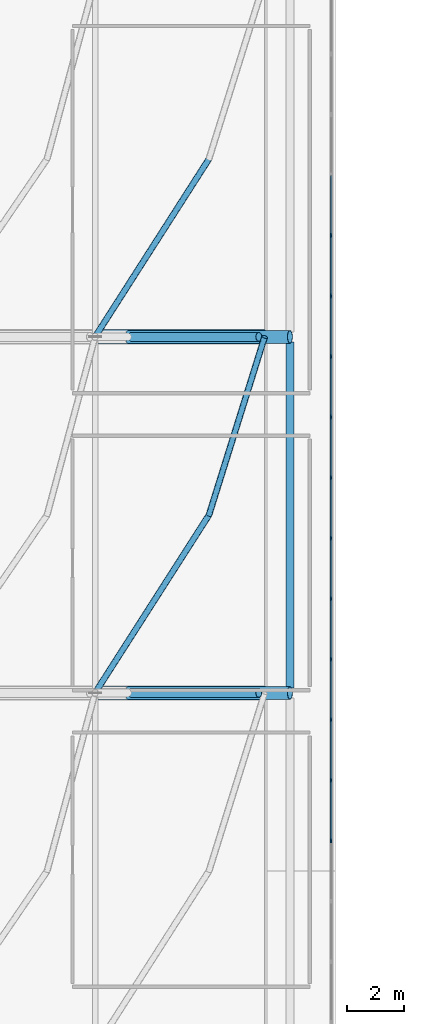
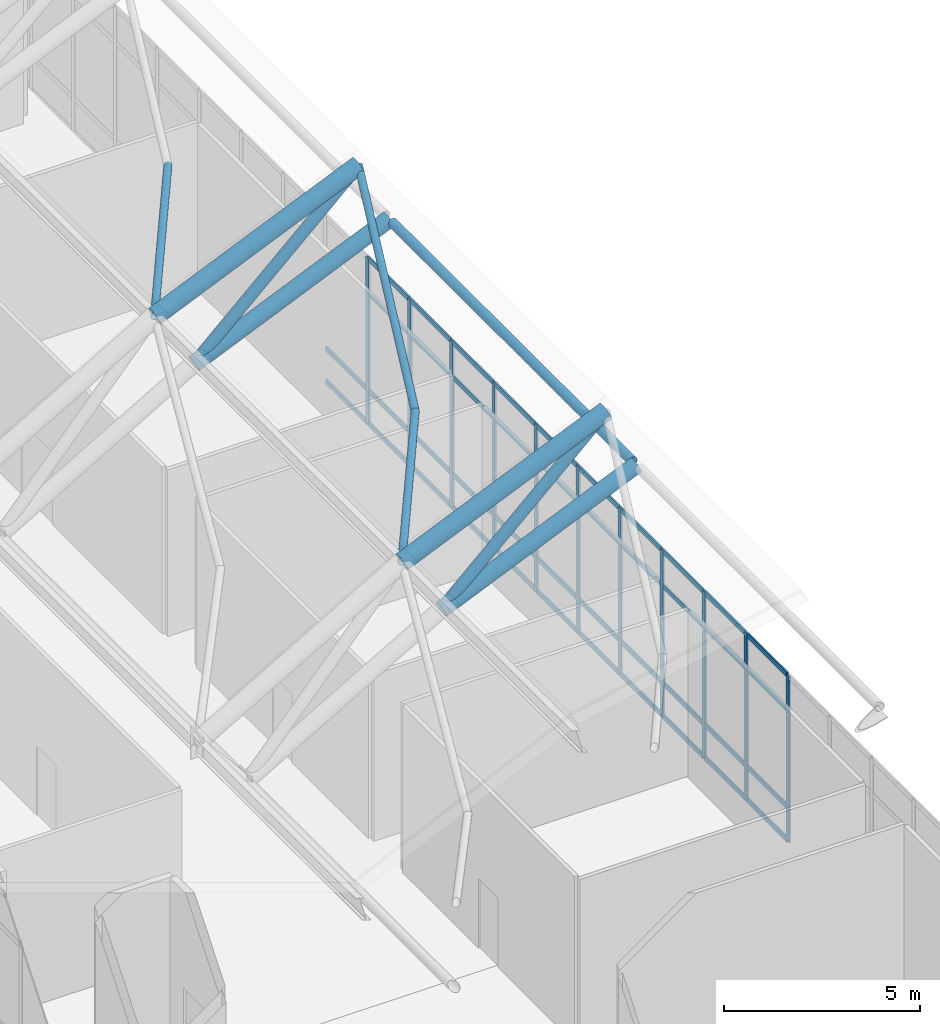
# One storey, part 16 of 42: 63 members, 1 element without a shape of its own.
"""IFC4 building model written with IfcOpenShell, lengths in metres."""

from ifc_helpers import new_model, si_unit, derived_unit, direction, frame, origin, origin_2d, place, context, subcontext, project, spatial, rectangle, hollow_circle, extrude, material, layer, layer_set, material_profile, profile_set, type_object, element, aggregate, save


model = new_model("IFC4")

# Units and contexts
model_context = context("Model", 3, precision=1e-05, world=origin(), true_north=direction((0.0, 1.0)))
body_context = subcontext(model_context, "Body", "Model", "MODEL_VIEW")
ifc_project = project(units=[si_unit("LENGTHUNIT", "METRE"), si_unit("AREAUNIT", "SQUARE_METRE"), si_unit("VOLUMEUNIT", "CUBIC_METRE"), si_unit("PLANEANGLEUNIT", "RADIAN"), si_unit("MASSUNIT", "GRAM", prefix="KILO"), derived_unit("THERMALTRANSMITTANCEUNIT", [(si_unit("MASSUNIT", "GRAM", prefix="KILO"), 1), (si_unit("TIMEUNIT", "SECOND"), -3), (si_unit("THERMODYNAMICTEMPERATUREUNIT", "KELVIN"), -1)])], contexts=[model_context])

# Site, building, storey
site_placement = place(None, origin())
site = spatial("IfcSite", under=ifc_project, at=site_placement, CompositionType="ELEMENT")
building_placement = place(site_placement, origin())
building = spatial("IfcBuilding", under=site, at=building_placement, Name="Valcora Ridge Arena", CompositionType="ELEMENT")
storey_placement = place(building_placement, frame((0.0, 0.0, 26.39990234375)))
storey = spatial("IfcBuildingStorey", under=building, at=storey_placement, Name="L05", CompositionType="ELEMENT", Elevation=26.39990234375)

# Curtain wall, members
ifc_material_1 = material(Name="Anodised dark bronze architectural aluminium 6063-T6", Category="aluminium")
ifc_layer = layer(ifc_material_1, 0.14990234375, Name="Anodised dark bronze architectural aluminium 6063-T6")
ifc_layer_set = layer_set([ifc_layer], Name="Anodised dark bronze architectural aluminium 6063-T6")
curtain_wall_type = type_object("IfcCurtainWallType", Name="TY-CURTAINWALL-CW-V1-SKY-878X52", PredefinedType="NOTDEFINED", material=ifc_layer_set)
curtain_wall_placement = place(storey_placement, origin())
curtain_wall = element("IfcCurtainWall", 1, at=curtain_wall_placement, inside=storey, type_object=curtain_wall_type, Name="CW-V1-SKY-878X52 CW-0171", PredefinedType="NOTDEFINED")
ifc_material_profile_1 = material_profile(ifc_material_1, rectangle(XDim=0.050048828125, YDim=0.14990234375, at=origin_2d()), Name="ALU MULLION 50x150")
ifc_profile_set_1 = profile_set([ifc_material_profile_1], Name="Anodised dark bronze architectural aluminium 6063-T6")
member_type_1 = type_object("IfcMemberType", Name="TY-MEM-CWM-50x150", PredefinedType="MULLION", material=ifc_profile_set_1)
member_1_placement = place(storey_placement, frame((38.35009765625, 65.170654296875, 0.0), z_axis=(0.0, 0.0, 1.0), x_axis=(-1.0, 0.0, 0.0)))
member_1 = element("IfcMember", 2, at=member_1_placement, type_object=member_type_1, Name="CW-0171/CWM-50x150/M21", PredefinedType="MULLION", context=body_context, shape_type="SweptSolid", body=[
    extrude(rectangle(XDim=0.050048828125, YDim=0.14990234375, at=origin_2d()), origin(), (0.0, 0.0, 1.0), 5.18017578125),
])
member_2_placement = place(storey_placement, frame((38.35009765625, 67.312255859375, 0.0), z_axis=(0.0, 0.0, 1.0), x_axis=(-1.0, 0.0, 0.0)))
member_2 = element("IfcMember", 3, at=member_2_placement, type_object=member_type_1, Name="CW-0171/CWM-50x150/M22", PredefinedType="MULLION", context=body_context, shape_type="SweptSolid", body=[
    extrude(rectangle(XDim=0.050048828125, YDim=0.14990234375, at=origin_2d()), origin(), (0.0, 0.0, 1.0), 5.18017578125),
])
member_3_placement = place(storey_placement, frame((38.35009765625, 69.45361328125, 0.0), z_axis=(0.0, 0.0, 1.0), x_axis=(-1.0, 0.0, 0.0)))
member_3 = element("IfcMember", 4, at=member_3_placement, type_object=member_type_1, Name="CW-0171/CWM-50x150/M23", PredefinedType="MULLION", context=body_context, shape_type="SweptSolid", body=[
    extrude(rectangle(XDim=0.050048828125, YDim=0.14990234375, at=origin_2d()), origin(), (0.0, 0.0, 1.0), 5.18017578125),
])
member_4_placement = place(storey_placement, frame((38.35009765625, 71.59521484375, 0.0), z_axis=(0.0, 0.0, 1.0), x_axis=(-1.0, 0.0, 0.0)))
member_4 = element("IfcMember", 5, at=member_4_placement, type_object=member_type_1, Name="CW-0171/CWM-50x150/M24", PredefinedType="MULLION", context=body_context, shape_type="SweptSolid", body=[
    extrude(rectangle(XDim=0.050048828125, YDim=0.14990234375, at=origin_2d()), origin(), (0.0, 0.0, 1.0), 5.18017578125),
])
member_5_placement = place(storey_placement, frame((38.35009765625, 73.736572265625, 0.0), z_axis=(0.0, 0.0, 1.0), x_axis=(-1.0, 0.0, 0.0)))
member_5 = element("IfcMember", 6, at=member_5_placement, type_object=member_type_1, Name="CW-0171/CWM-50x150/M25", PredefinedType="MULLION", context=body_context, shape_type="SweptSolid", body=[
    extrude(rectangle(XDim=0.050048828125, YDim=0.14990234375, at=origin_2d()), origin(), (0.0, 0.0, 1.0), 5.18017578125),
])
member_6_placement = place(storey_placement, frame((38.35009765625, 75.8779296875, 0.0), z_axis=(0.0, 0.0, 1.0), x_axis=(-1.0, 0.0, 0.0)))
member_6 = element("IfcMember", 7, at=member_6_placement, type_object=member_type_1, Name="CW-0171/CWM-50x150/M26", PredefinedType="MULLION", context=body_context, shape_type="SweptSolid", body=[
    extrude(rectangle(XDim=0.050048828125, YDim=0.14990234375, at=origin_2d()), origin(), (0.0, 0.0, 1.0), 5.18017578125),
])
member_7_placement = place(storey_placement, frame((38.35009765625, 78.01953125, 0.0), z_axis=(0.0, 0.0, 1.0), x_axis=(-1.0, 0.0, 0.0)))
member_7 = element("IfcMember", 8, at=member_7_placement, type_object=member_type_1, Name="CW-0171/CWM-50x150/M27", PredefinedType="MULLION", context=body_context, shape_type="SweptSolid", body=[
    extrude(rectangle(XDim=0.050048828125, YDim=0.14990234375, at=origin_2d()), origin(), (0.0, 0.0, 1.0), 5.18017578125),
])
member_8_placement = place(storey_placement, frame((38.35009765625, 80.160888671875, 0.0), z_axis=(0.0, 0.0, 1.0), x_axis=(-1.0, 0.0, 0.0)))
member_8 = element("IfcMember", 9, at=member_8_placement, type_object=member_type_1, Name="CW-0171/CWM-50x150/M28", PredefinedType="MULLION", context=body_context, shape_type="SweptSolid", body=[
    extrude(rectangle(XDim=0.050048828125, YDim=0.14990234375, at=origin_2d()), origin(), (0.0, 0.0, 1.0), 5.18017578125),
])
member_9_placement = place(storey_placement, frame((38.35009765625, 82.302490234375, 0.0), z_axis=(0.0, 0.0, 1.0), x_axis=(-1.0, 0.0, 0.0)))
member_9 = element("IfcMember", 10, at=member_9_placement, type_object=member_type_1, Name="CW-0171/CWM-50x150/M29", PredefinedType="MULLION", context=body_context, shape_type="SweptSolid", body=[
    extrude(rectangle(XDim=0.050048828125, YDim=0.14990234375, at=origin_2d()), origin(), (0.0, 0.0, 1.0), 5.18017578125),
])
member_10_placement = place(storey_placement, frame((38.35009765625, 84.44384765625, 0.0), z_axis=(0.0, 0.0, 1.0), x_axis=(-1.0, 0.0, 0.0)))
member_10 = element("IfcMember", 11, at=member_10_placement, type_object=member_type_1, Name="CW-0171/CWM-50x150/M30", PredefinedType="MULLION", context=body_context, shape_type="SweptSolid", body=[
    extrude(rectangle(XDim=0.050048828125, YDim=0.14990234375, at=origin_2d()), origin(), (0.0, 0.0, 1.0), 5.18017578125),
])
member_11_placement = place(storey_placement, frame((38.35009765625, 86.58544921875, 0.0), z_axis=(0.0, 0.0, 1.0), x_axis=(-1.0, 0.0, 0.0)))
member_11 = element("IfcMember", 12, at=member_11_placement, type_object=member_type_1, Name="CW-0171/CWM-50x150/M31", PredefinedType="MULLION", context=body_context, shape_type="SweptSolid", body=[
    extrude(rectangle(XDim=0.050048828125, YDim=0.14990234375, at=origin_2d()), origin(), (0.0, 0.0, 1.0), 5.18017578125),
])
ifc_material_profile_2 = material_profile(ifc_material_1, rectangle(XDim=0.050048828125, YDim=0.14990234375, at=origin_2d()), Name="ALU TRANSOM 50x150")
ifc_profile_set_2 = profile_set([ifc_material_profile_2], Name="Anodised dark bronze architectural aluminium 6063-T6")
member_type_2 = type_object("IfcMemberType", Name="TY-MEM-CWT-50x150", PredefinedType="USERDEFINED", material=ifc_profile_set_2)
member_12_placement = place(storey_placement, frame((38.35009765625, 65.196044921875, 0.025146484375), z_axis=(0.0, 1.0, 0.0), x_axis=(-1.0, 0.0, 0.0)))
member_12 = element("IfcMember", 13, at=member_12_placement, type_object=member_type_2, Name="CW-0171/CWT-50x150/T21-00", ObjectType="TRANSOM", PredefinedType="USERDEFINED", context=body_context, shape_type="SweptSolid", body=[
    extrude(rectangle(XDim=0.050048828125, YDim=0.14990234375, at=origin_2d()), origin(), (0.0, 0.0, 1.0), 2.091064453125),
])
member_13_placement = place(storey_placement, frame((38.35009765625, 65.196044921875, 1.050048828125), z_axis=(0.0, 1.0, 0.0), x_axis=(-1.0, 0.0, 0.0)))
member_13 = element("IfcMember", 14, at=member_13_placement, type_object=member_type_2, Name="CW-0171/CWT-50x150/T21-01", ObjectType="TRANSOM", PredefinedType="USERDEFINED", context=body_context, shape_type="SweptSolid", body=[
    extrude(rectangle(XDim=0.050048828125, YDim=0.14990234375, at=origin_2d()), origin(), (0.0, 0.0, 1.0), 2.091064453125),
])
member_14_placement = place(storey_placement, frame((38.35009765625, 65.196044921875, 4.080078125), z_axis=(0.0, 1.0, 0.0), x_axis=(-1.0, 0.0, 0.0)))
member_14 = element("IfcMember", 15, at=member_14_placement, type_object=member_type_2, Name="CW-0171/CWT-50x150/T21-02", ObjectType="TRANSOM", PredefinedType="USERDEFINED", context=body_context, shape_type="SweptSolid", body=[
    extrude(rectangle(XDim=0.050048828125, YDim=0.14990234375, at=origin_2d()), origin(), (0.0, 0.0, 1.0), 2.091064453125),
])
member_15_placement = place(storey_placement, frame((38.35009765625, 65.196044921875, 5.155029296875), z_axis=(0.0, 1.0, 0.0), x_axis=(-1.0, 0.0, 0.0)))
member_15 = element("IfcMember", 16, at=member_15_placement, type_object=member_type_2, Name="CW-0171/CWT-50x150/T21-03", ObjectType="TRANSOM", PredefinedType="USERDEFINED", context=body_context, shape_type="SweptSolid", body=[
    extrude(rectangle(XDim=0.050048828125, YDim=0.14990234375, at=origin_2d()), origin(), (0.0, 0.0, 1.0), 2.091064453125),
])
member_16_placement = place(storey_placement, frame((38.35009765625, 67.3369140625, 0.025146484375), z_axis=(0.0, 1.0, 0.0), x_axis=(-1.0, 0.0, 0.0)))
member_16 = element("IfcMember", 17, at=member_16_placement, type_object=member_type_2, Name="CW-0171/CWT-50x150/T22-00", ObjectType="TRANSOM", PredefinedType="USERDEFINED", context=body_context, shape_type="SweptSolid", body=[
    extrude(rectangle(XDim=0.050048828125, YDim=0.14990234375, at=origin_2d()), origin(), (0.0, 0.0, 1.0), 2.092041015625),
])
member_17_placement = place(storey_placement, frame((38.35009765625, 67.3369140625, 1.050048828125), z_axis=(0.0, 1.0, 0.0), x_axis=(-1.0, 0.0, 0.0)))
member_17 = element("IfcMember", 18, at=member_17_placement, type_object=member_type_2, Name="CW-0171/CWT-50x150/T22-01", ObjectType="TRANSOM", PredefinedType="USERDEFINED", context=body_context, shape_type="SweptSolid", body=[
    extrude(rectangle(XDim=0.050048828125, YDim=0.14990234375, at=origin_2d()), origin(), (0.0, 0.0, 1.0), 2.092041015625),
])
member_18_placement = place(storey_placement, frame((38.35009765625, 67.3369140625, 4.080078125), z_axis=(0.0, 1.0, 0.0), x_axis=(-1.0, 0.0, 0.0)))
member_18 = element("IfcMember", 19, at=member_18_placement, type_object=member_type_2, Name="CW-0171/CWT-50x150/T22-02", ObjectType="TRANSOM", PredefinedType="USERDEFINED", context=body_context, shape_type="SweptSolid", body=[
    extrude(rectangle(XDim=0.050048828125, YDim=0.14990234375, at=origin_2d()), origin(), (0.0, 0.0, 1.0), 2.092041015625),
])
member_19_placement = place(storey_placement, frame((38.35009765625, 67.3369140625, 5.155029296875), z_axis=(0.0, 1.0, 0.0), x_axis=(-1.0, 0.0, 0.0)))
member_19 = element("IfcMember", 20, at=member_19_placement, type_object=member_type_2, Name="CW-0171/CWT-50x150/T22-03", ObjectType="TRANSOM", PredefinedType="USERDEFINED", context=body_context, shape_type="SweptSolid", body=[
    extrude(rectangle(XDim=0.050048828125, YDim=0.14990234375, at=origin_2d()), origin(), (0.0, 0.0, 1.0), 2.092041015625),
])
member_20_placement = place(storey_placement, frame((38.35009765625, 69.47900390625, 0.025146484375), z_axis=(0.0, 1.0, 0.0), x_axis=(-1.0, 0.0, 0.0)))
member_20 = element("IfcMember", 21, at=member_20_placement, type_object=member_type_2, Name="CW-0171/CWT-50x150/T23-00", ObjectType="TRANSOM", PredefinedType="USERDEFINED", context=body_context, shape_type="SweptSolid", body=[
    extrude(rectangle(XDim=0.050048828125, YDim=0.14990234375, at=origin_2d()), origin(), (0.0, 0.0, 1.0), 2.091064453125),
])
member_21_placement = place(storey_placement, frame((38.35009765625, 69.47900390625, 1.050048828125), z_axis=(0.0, 1.0, 0.0), x_axis=(-1.0, 0.0, 0.0)))
member_21 = element("IfcMember", 22, at=member_21_placement, type_object=member_type_2, Name="CW-0171/CWT-50x150/T23-01", ObjectType="TRANSOM", PredefinedType="USERDEFINED", context=body_context, shape_type="SweptSolid", body=[
    extrude(rectangle(XDim=0.050048828125, YDim=0.14990234375, at=origin_2d()), origin(), (0.0, 0.0, 1.0), 2.091064453125),
])
member_22_placement = place(storey_placement, frame((38.35009765625, 69.47900390625, 4.080078125), z_axis=(0.0, 1.0, 0.0), x_axis=(-1.0, 0.0, 0.0)))
member_22 = element("IfcMember", 23, at=member_22_placement, type_object=member_type_2, Name="CW-0171/CWT-50x150/T23-02", ObjectType="TRANSOM", PredefinedType="USERDEFINED", context=body_context, shape_type="SweptSolid", body=[
    extrude(rectangle(XDim=0.050048828125, YDim=0.14990234375, at=origin_2d()), origin(), (0.0, 0.0, 1.0), 2.091064453125),
])
member_23_placement = place(storey_placement, frame((38.35009765625, 69.47900390625, 5.155029296875), z_axis=(0.0, 1.0, 0.0), x_axis=(-1.0, 0.0, 0.0)))
member_23 = element("IfcMember", 24, at=member_23_placement, type_object=member_type_2, Name="CW-0171/CWT-50x150/T23-03", ObjectType="TRANSOM", PredefinedType="USERDEFINED", context=body_context, shape_type="SweptSolid", body=[
    extrude(rectangle(XDim=0.050048828125, YDim=0.14990234375, at=origin_2d()), origin(), (0.0, 0.0, 1.0), 2.091064453125),
])
member_24_placement = place(storey_placement, frame((38.35009765625, 71.6201171875, 0.025146484375), z_axis=(0.0, 1.0, 0.0), x_axis=(-1.0, 0.0, 0.0)))
member_24 = element("IfcMember", 25, at=member_24_placement, type_object=member_type_2, Name="CW-0171/CWT-50x150/T24-00", ObjectType="TRANSOM", PredefinedType="USERDEFINED", context=body_context, shape_type="SweptSolid", body=[
    extrude(rectangle(XDim=0.050048828125, YDim=0.14990234375, at=origin_2d()), origin(), (0.0, 0.0, 1.0), 2.091796875),
])
member_25_placement = place(storey_placement, frame((38.35009765625, 71.6201171875, 1.050048828125), z_axis=(0.0, 1.0, 0.0), x_axis=(-1.0, 0.0, 0.0)))
member_25 = element("IfcMember", 26, at=member_25_placement, type_object=member_type_2, Name="CW-0171/CWT-50x150/T24-01", ObjectType="TRANSOM", PredefinedType="USERDEFINED", context=body_context, shape_type="SweptSolid", body=[
    extrude(rectangle(XDim=0.050048828125, YDim=0.14990234375, at=origin_2d()), origin(), (0.0, 0.0, 1.0), 2.091796875),
])
member_26_placement = place(storey_placement, frame((38.35009765625, 71.6201171875, 4.080078125), z_axis=(0.0, 1.0, 0.0), x_axis=(-1.0, 0.0, 0.0)))
member_26 = element("IfcMember", 27, at=member_26_placement, type_object=member_type_2, Name="CW-0171/CWT-50x150/T24-02", ObjectType="TRANSOM", PredefinedType="USERDEFINED", context=body_context, shape_type="SweptSolid", body=[
    extrude(rectangle(XDim=0.050048828125, YDim=0.14990234375, at=origin_2d()), origin(), (0.0, 0.0, 1.0), 2.091796875),
])
member_27_placement = place(storey_placement, frame((38.35009765625, 71.6201171875, 5.155029296875), z_axis=(0.0, 1.0, 0.0), x_axis=(-1.0, 0.0, 0.0)))
member_27 = element("IfcMember", 28, at=member_27_placement, type_object=member_type_2, Name="CW-0171/CWT-50x150/T24-03", ObjectType="TRANSOM", PredefinedType="USERDEFINED", context=body_context, shape_type="SweptSolid", body=[
    extrude(rectangle(XDim=0.050048828125, YDim=0.14990234375, at=origin_2d()), origin(), (0.0, 0.0, 1.0), 2.091796875),
])
member_28_placement = place(storey_placement, frame((38.35009765625, 73.761962890625, 0.025146484375), z_axis=(0.0, 1.0, 0.0), x_axis=(-1.0, 0.0, 0.0)))
member_28 = element("IfcMember", 29, at=member_28_placement, type_object=member_type_2, Name="CW-0171/CWT-50x150/T25-00", ObjectType="TRANSOM", PredefinedType="USERDEFINED", context=body_context, shape_type="SweptSolid", body=[
    extrude(rectangle(XDim=0.050048828125, YDim=0.14990234375, at=origin_2d()), origin(), (0.0, 0.0, 1.0), 2.091064453125),
])
member_29_placement = place(storey_placement, frame((38.35009765625, 73.761962890625, 1.050048828125), z_axis=(0.0, 1.0, 0.0), x_axis=(-1.0, 0.0, 0.0)))
member_29 = element("IfcMember", 30, at=member_29_placement, type_object=member_type_2, Name="CW-0171/CWT-50x150/T25-01", ObjectType="TRANSOM", PredefinedType="USERDEFINED", context=body_context, shape_type="SweptSolid", body=[
    extrude(rectangle(XDim=0.050048828125, YDim=0.14990234375, at=origin_2d()), origin(), (0.0, 0.0, 1.0), 2.091064453125),
])
member_30_placement = place(storey_placement, frame((38.35009765625, 73.761962890625, 4.080078125), z_axis=(0.0, 1.0, 0.0), x_axis=(-1.0, 0.0, 0.0)))
member_30 = element("IfcMember", 31, at=member_30_placement, type_object=member_type_2, Name="CW-0171/CWT-50x150/T25-02", ObjectType="TRANSOM", PredefinedType="USERDEFINED", context=body_context, shape_type="SweptSolid", body=[
    extrude(rectangle(XDim=0.050048828125, YDim=0.14990234375, at=origin_2d()), origin(), (0.0, 0.0, 1.0), 2.091064453125),
])
member_31_placement = place(storey_placement, frame((38.35009765625, 73.761962890625, 5.155029296875), z_axis=(0.0, 1.0, 0.0), x_axis=(-1.0, 0.0, 0.0)))
member_31 = element("IfcMember", 32, at=member_31_placement, type_object=member_type_2, Name="CW-0171/CWT-50x150/T25-03", ObjectType="TRANSOM", PredefinedType="USERDEFINED", context=body_context, shape_type="SweptSolid", body=[
    extrude(rectangle(XDim=0.050048828125, YDim=0.14990234375, at=origin_2d()), origin(), (0.0, 0.0, 1.0), 2.091064453125),
])
member_32_placement = place(storey_placement, frame((38.35009765625, 75.903076171875, 0.025146484375), z_axis=(0.0, 1.0, 0.0), x_axis=(-1.0, 0.0, 0.0)))
member_32 = element("IfcMember", 33, at=member_32_placement, type_object=member_type_2, Name="CW-0171/CWT-50x150/T26-00", ObjectType="TRANSOM", PredefinedType="USERDEFINED", context=body_context, shape_type="SweptSolid", body=[
    extrude(rectangle(XDim=0.050048828125, YDim=0.14990234375, at=origin_2d()), origin(), (0.0, 0.0, 1.0), 2.092041015625),
])
member_33_placement = place(storey_placement, frame((38.35009765625, 75.903076171875, 1.050048828125), z_axis=(0.0, 1.0, 0.0), x_axis=(-1.0, 0.0, 0.0)))
member_33 = element("IfcMember", 34, at=member_33_placement, type_object=member_type_2, Name="CW-0171/CWT-50x150/T26-01", ObjectType="TRANSOM", PredefinedType="USERDEFINED", context=body_context, shape_type="SweptSolid", body=[
    extrude(rectangle(XDim=0.050048828125, YDim=0.14990234375, at=origin_2d()), origin(), (0.0, 0.0, 1.0), 2.092041015625),
])
member_34_placement = place(storey_placement, frame((38.35009765625, 75.903076171875, 4.080078125), z_axis=(0.0, 1.0, 0.0), x_axis=(-1.0, 0.0, 0.0)))
member_34 = element("IfcMember", 35, at=member_34_placement, type_object=member_type_2, Name="CW-0171/CWT-50x150/T26-02", ObjectType="TRANSOM", PredefinedType="USERDEFINED", context=body_context, shape_type="SweptSolid", body=[
    extrude(rectangle(XDim=0.050048828125, YDim=0.14990234375, at=origin_2d()), origin(), (0.0, 0.0, 1.0), 2.092041015625),
])
member_35_placement = place(storey_placement, frame((38.35009765625, 75.903076171875, 5.155029296875), z_axis=(0.0, 1.0, 0.0), x_axis=(-1.0, 0.0, 0.0)))
member_35 = element("IfcMember", 36, at=member_35_placement, type_object=member_type_2, Name="CW-0171/CWT-50x150/T26-03", ObjectType="TRANSOM", PredefinedType="USERDEFINED", context=body_context, shape_type="SweptSolid", body=[
    extrude(rectangle(XDim=0.050048828125, YDim=0.14990234375, at=origin_2d()), origin(), (0.0, 0.0, 1.0), 2.092041015625),
])
member_36_placement = place(storey_placement, frame((38.35009765625, 78.044921875, 0.025146484375), z_axis=(0.0, 1.0, 0.0), x_axis=(-1.0, 0.0, 0.0)))
member_36 = element("IfcMember", 37, at=member_36_placement, type_object=member_type_2, Name="CW-0171/CWT-50x150/T27-00", ObjectType="TRANSOM", PredefinedType="USERDEFINED", context=body_context, shape_type="SweptSolid", body=[
    extrude(rectangle(XDim=0.050048828125, YDim=0.14990234375, at=origin_2d()), origin(), (0.0, 0.0, 1.0), 2.091064453125),
])
member_37_placement = place(storey_placement, frame((38.35009765625, 78.044921875, 1.050048828125), z_axis=(0.0, 1.0, 0.0), x_axis=(-1.0, 0.0, 0.0)))
member_37 = element("IfcMember", 38, at=member_37_placement, type_object=member_type_2, Name="CW-0171/CWT-50x150/T27-01", ObjectType="TRANSOM", PredefinedType="USERDEFINED", context=body_context, shape_type="SweptSolid", body=[
    extrude(rectangle(XDim=0.050048828125, YDim=0.14990234375, at=origin_2d()), origin(), (0.0, 0.0, 1.0), 2.091064453125),
])
member_38_placement = place(storey_placement, frame((38.35009765625, 78.044921875, 4.080078125), z_axis=(0.0, 1.0, 0.0), x_axis=(-1.0, 0.0, 0.0)))
member_38 = element("IfcMember", 39, at=member_38_placement, type_object=member_type_2, Name="CW-0171/CWT-50x150/T27-02", ObjectType="TRANSOM", PredefinedType="USERDEFINED", context=body_context, shape_type="SweptSolid", body=[
    extrude(rectangle(XDim=0.050048828125, YDim=0.14990234375, at=origin_2d()), origin(), (0.0, 0.0, 1.0), 2.091064453125),
])
member_39_placement = place(storey_placement, frame((38.35009765625, 78.044921875, 5.155029296875), z_axis=(0.0, 1.0, 0.0), x_axis=(-1.0, 0.0, 0.0)))
member_39 = element("IfcMember", 40, at=member_39_placement, type_object=member_type_2, Name="CW-0171/CWT-50x150/T27-03", ObjectType="TRANSOM", PredefinedType="USERDEFINED", context=body_context, shape_type="SweptSolid", body=[
    extrude(rectangle(XDim=0.050048828125, YDim=0.14990234375, at=origin_2d()), origin(), (0.0, 0.0, 1.0), 2.091064453125),
])
member_40_placement = place(storey_placement, frame((38.35009765625, 80.18603515625, 0.025146484375), z_axis=(0.0, 1.0, 0.0), x_axis=(-1.0, 0.0, 0.0)))
member_40 = element("IfcMember", 41, at=member_40_placement, type_object=member_type_2, Name="CW-0171/CWT-50x150/T28-00", ObjectType="TRANSOM", PredefinedType="USERDEFINED", context=body_context, shape_type="SweptSolid", body=[
    extrude(rectangle(XDim=0.050048828125, YDim=0.14990234375, at=origin_2d()), origin(), (0.0, 0.0, 1.0), 2.091064453125),
])
member_41_placement = place(storey_placement, frame((38.35009765625, 80.18603515625, 1.050048828125), z_axis=(0.0, 1.0, 0.0), x_axis=(-1.0, 0.0, 0.0)))
member_41 = element("IfcMember", 42, at=member_41_placement, type_object=member_type_2, Name="CW-0171/CWT-50x150/T28-01", ObjectType="TRANSOM", PredefinedType="USERDEFINED", context=body_context, shape_type="SweptSolid", body=[
    extrude(rectangle(XDim=0.050048828125, YDim=0.14990234375, at=origin_2d()), origin(), (0.0, 0.0, 1.0), 2.091064453125),
])
member_42_placement = place(storey_placement, frame((38.35009765625, 80.18603515625, 4.080078125), z_axis=(0.0, 1.0, 0.0), x_axis=(-1.0, 0.0, 0.0)))
member_42 = element("IfcMember", 43, at=member_42_placement, type_object=member_type_2, Name="CW-0171/CWT-50x150/T28-02", ObjectType="TRANSOM", PredefinedType="USERDEFINED", context=body_context, shape_type="SweptSolid", body=[
    extrude(rectangle(XDim=0.050048828125, YDim=0.14990234375, at=origin_2d()), origin(), (0.0, 0.0, 1.0), 2.091064453125),
])
member_43_placement = place(storey_placement, frame((38.35009765625, 80.18603515625, 5.155029296875), z_axis=(0.0, 1.0, 0.0), x_axis=(-1.0, 0.0, 0.0)))
member_43 = element("IfcMember", 44, at=member_43_placement, type_object=member_type_2, Name="CW-0171/CWT-50x150/T28-03", ObjectType="TRANSOM", PredefinedType="USERDEFINED", context=body_context, shape_type="SweptSolid", body=[
    extrude(rectangle(XDim=0.050048828125, YDim=0.14990234375, at=origin_2d()), origin(), (0.0, 0.0, 1.0), 2.091064453125),
])
member_44_placement = place(storey_placement, frame((38.35009765625, 82.326904296875, 0.025146484375), z_axis=(0.0, 1.0, 0.0), x_axis=(-1.0, 0.0, 0.0)))
member_44 = element("IfcMember", 45, at=member_44_placement, type_object=member_type_2, Name="CW-0171/CWT-50x150/T29-00", ObjectType="TRANSOM", PredefinedType="USERDEFINED", context=body_context, shape_type="SweptSolid", body=[
    extrude(rectangle(XDim=0.050048828125, YDim=0.14990234375, at=origin_2d()), origin(), (0.0, 0.0, 1.0), 2.092041015625),
])
member_45_placement = place(storey_placement, frame((38.35009765625, 82.326904296875, 1.050048828125), z_axis=(0.0, 1.0, 0.0), x_axis=(-1.0, 0.0, 0.0)))
member_45 = element("IfcMember", 46, at=member_45_placement, type_object=member_type_2, Name="CW-0171/CWT-50x150/T29-01", ObjectType="TRANSOM", PredefinedType="USERDEFINED", context=body_context, shape_type="SweptSolid", body=[
    extrude(rectangle(XDim=0.050048828125, YDim=0.14990234375, at=origin_2d()), origin(), (0.0, 0.0, 1.0), 2.092041015625),
])
member_46_placement = place(storey_placement, frame((38.35009765625, 82.326904296875, 4.080078125), z_axis=(0.0, 1.0, 0.0), x_axis=(-1.0, 0.0, 0.0)))
member_46 = element("IfcMember", 47, at=member_46_placement, type_object=member_type_2, Name="CW-0171/CWT-50x150/T29-02", ObjectType="TRANSOM", PredefinedType="USERDEFINED", context=body_context, shape_type="SweptSolid", body=[
    extrude(rectangle(XDim=0.050048828125, YDim=0.14990234375, at=origin_2d()), origin(), (0.0, 0.0, 1.0), 2.092041015625),
])
member_47_placement = place(storey_placement, frame((38.35009765625, 82.326904296875, 5.155029296875), z_axis=(0.0, 1.0, 0.0), x_axis=(-1.0, 0.0, 0.0)))
member_47 = element("IfcMember", 48, at=member_47_placement, type_object=member_type_2, Name="CW-0171/CWT-50x150/T29-03", ObjectType="TRANSOM", PredefinedType="USERDEFINED", context=body_context, shape_type="SweptSolid", body=[
    extrude(rectangle(XDim=0.050048828125, YDim=0.14990234375, at=origin_2d()), origin(), (0.0, 0.0, 1.0), 2.092041015625),
])
member_48_placement = place(storey_placement, frame((38.35009765625, 84.468994140625, 0.025146484375), z_axis=(0.0, 1.0, 0.0), x_axis=(-1.0, 0.0, 0.0)))
member_48 = element("IfcMember", 49, at=member_48_placement, type_object=member_type_2, Name="CW-0171/CWT-50x150/T30-00", ObjectType="TRANSOM", PredefinedType="USERDEFINED", context=body_context, shape_type="SweptSolid", body=[
    extrude(rectangle(XDim=0.050048828125, YDim=0.14990234375, at=origin_2d()), origin(), (0.0, 0.0, 1.0), 2.091064453125),
])
member_49_placement = place(storey_placement, frame((38.35009765625, 84.468994140625, 1.050048828125), z_axis=(0.0, 1.0, 0.0), x_axis=(-1.0, 0.0, 0.0)))
member_49 = element("IfcMember", 50, at=member_49_placement, type_object=member_type_2, Name="CW-0171/CWT-50x150/T30-01", ObjectType="TRANSOM", PredefinedType="USERDEFINED", context=body_context, shape_type="SweptSolid", body=[
    extrude(rectangle(XDim=0.050048828125, YDim=0.14990234375, at=origin_2d()), origin(), (0.0, 0.0, 1.0), 2.091064453125),
])
member_50_placement = place(storey_placement, frame((38.35009765625, 84.468994140625, 4.080078125), z_axis=(0.0, 1.0, 0.0), x_axis=(-1.0, 0.0, 0.0)))
member_50 = element("IfcMember", 51, at=member_50_placement, type_object=member_type_2, Name="CW-0171/CWT-50x150/T30-02", ObjectType="TRANSOM", PredefinedType="USERDEFINED", context=body_context, shape_type="SweptSolid", body=[
    extrude(rectangle(XDim=0.050048828125, YDim=0.14990234375, at=origin_2d()), origin(), (0.0, 0.0, 1.0), 2.091064453125),
])
member_51_placement = place(storey_placement, frame((38.35009765625, 84.468994140625, 5.155029296875), z_axis=(0.0, 1.0, 0.0), x_axis=(-1.0, 0.0, 0.0)))
member_51 = element("IfcMember", 52, at=member_51_placement, type_object=member_type_2, Name="CW-0171/CWT-50x150/T30-03", ObjectType="TRANSOM", PredefinedType="USERDEFINED", context=body_context, shape_type="SweptSolid", body=[
    extrude(rectangle(XDim=0.050048828125, YDim=0.14990234375, at=origin_2d()), origin(), (0.0, 0.0, 1.0), 2.091064453125),
])
member_52_placement = place(storey_placement, frame((38.35009765625, 86.610107421875, 0.025146484375), z_axis=(0.0, 1.0, 0.0), x_axis=(-1.0, 0.0, 0.0)))
member_52 = element("IfcMember", 53, at=member_52_placement, type_object=member_type_2, Name="CW-0171/CWT-50x150/T31-00", ObjectType="TRANSOM", PredefinedType="USERDEFINED", context=body_context, shape_type="SweptSolid", body=[
    extrude(rectangle(XDim=0.050048828125, YDim=0.14990234375, at=origin_2d()), origin(), (0.0, 0.0, 1.0), 2.091796875),
])
member_53_placement = place(storey_placement, frame((38.35009765625, 86.610107421875, 1.050048828125), z_axis=(0.0, 1.0, 0.0), x_axis=(-1.0, 0.0, 0.0)))
member_53 = element("IfcMember", 54, at=member_53_placement, type_object=member_type_2, Name="CW-0171/CWT-50x150/T31-01", ObjectType="TRANSOM", PredefinedType="USERDEFINED", context=body_context, shape_type="SweptSolid", body=[
    extrude(rectangle(XDim=0.050048828125, YDim=0.14990234375, at=origin_2d()), origin(), (0.0, 0.0, 1.0), 2.091796875),
])
aggregate(curtain_wall, [member_1, member_2, member_3, member_4, member_5, member_6, member_7, member_8, member_9, member_10, member_11, member_12, member_13, member_14, member_15, member_16, member_17, member_18, member_19, member_20, member_21, member_22, member_23, member_24, member_25, member_26, member_27, member_28, member_29, member_30, member_31, member_32, member_33, member_34, member_35, member_36, member_37, member_38, member_39, member_40, member_41, member_42, member_43, member_44, member_45, member_46, member_47, member_48, member_49, member_50, member_51, member_52, member_53])

# Members
ifc_material_2 = material(Name="Steel ASTM A500 Grade C", Category="steel")
ifc_material_profile_3 = material_profile(ifc_material_2, hollow_circle(Radius=0.228515625, WallThickness=0.01611328125, at=origin_2d()), Name="CHS457X16")
ifc_profile_set_3 = profile_set([ifc_material_profile_3], Name="Steel ASTM A500 Grade C")
member_type_3 = type_object("IfcMemberType", Name="TY-MEMBER-SFBC-457", PredefinedType="CHORD", material=ifc_profile_set_3)
for number, where, z_axis, x_axis, name in (
    (55, (31.1669921875, 70.39990234375, 6.558837890625), (0.917672105435, 0.0, 0.397338529351), (0.0, 1.0, 0.0), "SFBC-457 Space Frame Bottom Chord"),
    (56, (31.1669921875, 83.0, 6.558837890625), (0.917672105435, 0.0, 0.397338529351), (0.0, 1.0, 0.0), "SFBC-457 Space Frame Bottom Chord"),
):
    element("IfcMember", number, at=place(storey_placement, frame(where, z_axis=z_axis, x_axis=x_axis)), inside=storey, type_object=member_type_3, Name=name, PredefinedType="CHORD", context=body_context, shape_type="SweptSolid", body=[
        extrude(hollow_circle(Radius=0.228515625, WallThickness=0.01611328125, at=origin_2d()), origin(), (0.0, 0.0, 1.0), 6.24267578125),
    ])
ifc_material_profile_4 = material_profile(ifc_material_2, hollow_circle(Radius=0.136474609375, WallThickness=0.012451171875, at=origin_2d()), Name="CHS273X12")
ifc_profile_set_4 = profile_set([ifc_material_profile_4], Name="Steel ASTM A500 Grade C")
member_type_4 = type_object("IfcMemberType", Name="TY-MEMBER-SFBT-273", PredefinedType="STRUT", material=ifc_profile_set_4)
member_54_placement = place(storey_placement, frame((36.895751953125, 70.580078125, 9.039306640625), z_axis=(0.0, 1.0, 0.0), x_axis=(-1.0, 0.0, 0.0)))
element("IfcMember", 57, at=member_54_placement, inside=storey, type_object=member_type_4, Name="SFBT-273 Space Frame Bottom Strut", PredefinedType="STRUT", context=body_context, shape_type="SweptSolid", body=[
    extrude(hollow_circle(Radius=0.136474609375, WallThickness=0.012451171875, at=origin_2d()), origin(), (0.0, 0.0, 1.0), 12.239990234375),
])
ifc_material_profile_5 = material_profile(ifc_material_2, hollow_circle(Radius=0.109619140625, WallThickness=0.010009765625, at=origin_2d()), Name="CHS219X10")
ifc_profile_set_5 = profile_set([ifc_material_profile_5], Name="Steel ASTM A500 Grade C")
member_type_5 = type_object("IfcMemberType", Name="TY-MEMBER-SFST-219", PredefinedType="STRUT", material=ifc_profile_set_5)
member_55_placement = place(storey_placement, frame((34.031494140625, 76.699951171875, 7.895751953125), z_axis=(-0.537622113153, -0.840146468233, 0.071528842887), x_axis=(0.842304003187, -0.539002751584, 0.0)))
element("IfcMember", 58, at=member_55_placement, inside=storey, type_object=member_type_5, Name="SFST-219 Space Frame Tie Strut", PredefinedType="STRUT", context=body_context, shape_type="SweptSolid", body=[
    extrude(hollow_circle(Radius=0.109619140625, WallThickness=0.010009765625, at=origin_2d()), origin(), (0.0, 0.0, 1.0), 7.498779296875),
])
member_56_placement = place(storey_placement, frame((34.031494140625, 76.699951171875, 7.895751953125), z_axis=(0.26940738515, 0.862217235992, 0.428953492566), x_axis=(-0.95449116609, 0.298239189001, 0.0)))
element("IfcMember", 59, at=member_56_placement, inside=storey, type_object=member_type_5, Name="SFST-219 Space Frame Tie Strut", PredefinedType="STRUT", context=body_context, shape_type="SweptSolid", body=[
    extrude(hollow_circle(Radius=0.109619140625, WallThickness=0.010009765625, at=origin_2d()), origin(), (0.0, 0.0, 1.0), 7.306884765625),
])
member_57_placement = place(storey_placement, frame((34.031494140625, 89.300048828125, 7.895751953125), z_axis=(-0.537622113153, -0.840146468233, 0.071528842887), x_axis=(0.842304003187, -0.539002751584, 0.0)))
element("IfcMember", 60, at=member_57_placement, inside=storey, type_object=member_type_5, Name="SFST-219 Space Frame Tie Strut", PredefinedType="STRUT", context=body_context, shape_type="SweptSolid", body=[
    extrude(hollow_circle(Radius=0.109619140625, WallThickness=0.010009765625, at=origin_2d()), origin(), (0.0, 0.0, 1.0), 7.498779296875),
])
ifc_material_profile_6 = material_profile(ifc_material_2, hollow_circle(Radius=0.25390625, WallThickness=0.01611328125, at=origin_2d()), Name="CHS508X16")
ifc_profile_set_6 = profile_set([ifc_material_profile_6], Name="Steel ASTM A500 Grade C")
member_type_6 = type_object("IfcMemberType", Name="TY-MEMBER-SFTC-508", PredefinedType="CHORD", material=ifc_profile_set_6)
for number, where, z_axis, x_axis, name in (
    (61, (30.0, 70.39990234375, 8.43212890625), (0.917672740792, 0.0, 0.397337061961), (0.0, 1.0, 0.0), "SFTC-508 Space Frame Top Chord"),
    (62, (30.0, 83.0, 8.43212890625), (0.917672740792, 0.0, 0.397337061961), (0.0, 1.0, 0.0), "SFTC-508 Space Frame Top Chord"),
):
    element("IfcMember", number, at=place(storey_placement, frame(where, z_axis=z_axis, x_axis=x_axis)), inside=storey, type_object=member_type_6, Name=name, PredefinedType="CHORD", context=body_context, shape_type="SweptSolid", body=[
        extrude(hollow_circle(Radius=0.25390625, WallThickness=0.01611328125, at=origin_2d()), origin(), (0.0, 0.0, 1.0), 6.538330078125),
    ])
ifc_material_profile_7 = material_profile(ifc_material_2, hollow_circle(Radius=0.161865234375, WallThickness=0.012451171875, at=origin_2d()), Name="CHS323X12")
ifc_profile_set_7 = profile_set([ifc_material_profile_7], Name="Steel ASTM A500 Grade C")
member_type_7 = type_object("IfcMemberType", Name="TY-MEMBER-SFWB-323", PredefinedType="BRACE", material=ifc_profile_set_7)
for number, where, z_axis, x_axis, name in (
    (63, (31.284423828125, 70.39990234375, 6.66748046875), (0.734030604976, 0.0, 0.679116389847), (0.0, 1.0, 0.0), "SFWB-323 Space Frame Diagonal Brace"),
    (64, (31.284423828125, 83.0, 6.66748046875), (0.734030604976, 0.0, 0.679116389847), (0.0, 1.0, 0.0), "SFWB-323 Space Frame Diagonal Brace"),
):
    element("IfcMember", number, at=place(storey_placement, frame(where, z_axis=z_axis, x_axis=x_axis)), inside=storey, type_object=member_type_7, Name=name, PredefinedType="BRACE", context=body_context, shape_type="SweptSolid", body=[
        extrude(hollow_circle(Radius=0.161865234375, WallThickness=0.012451171875, at=origin_2d()), origin(), (0.0, 0.0, 1.0), 6.144287109375),
    ])

save(model, "model.ifc")
